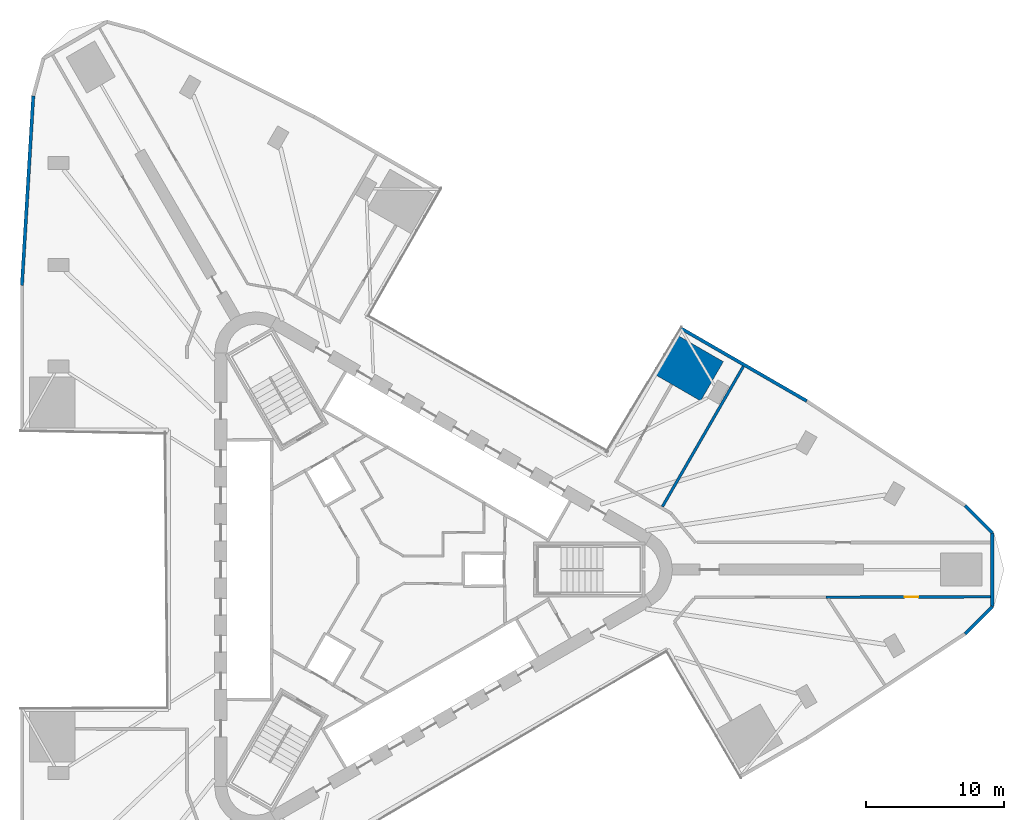
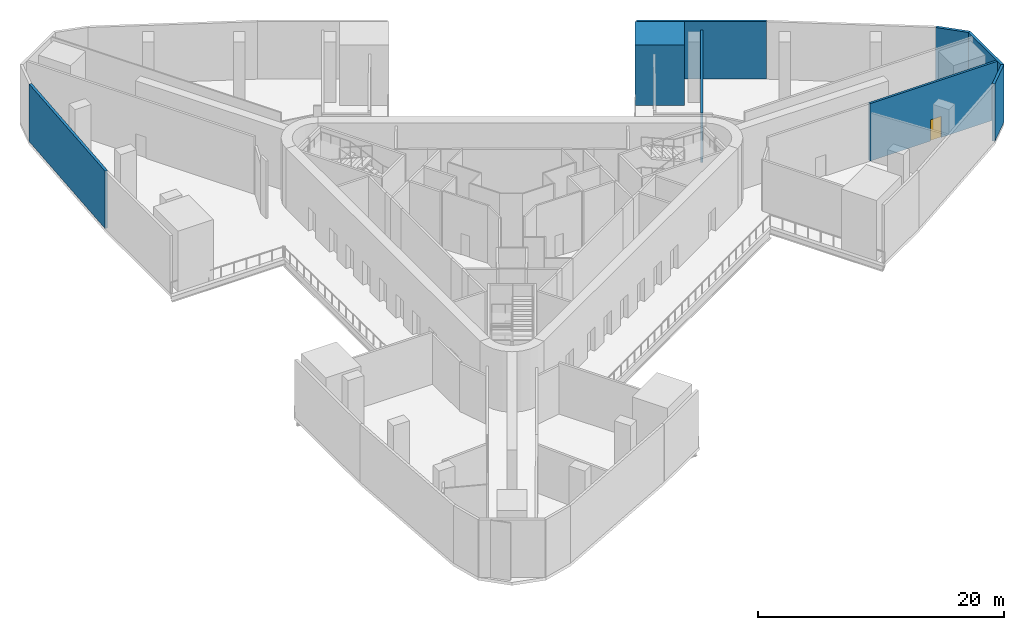
# One storey, part 7 of 11: 8 walls, 1 door, 1 opening.
"""IFC4 building model written with IfcOpenShell, lengths in metres."""

from ifc_helpers import new_model, si_unit, direction, frame, frame_2d, origin, place, context, subcontext, project, spatial, polyline, rectangle, outline, extrude, material, layer, layer_set, type_object, element, fill, save


model = new_model("IFC4")

# Units and contexts
model_context = context("Model", 3, precision=1e-05, world=origin(), true_north=direction((0.0, 1.0)))
body_context = subcontext(model_context, "Body", "Model", "MODEL_VIEW")
ifc_project = project(units=[si_unit("LENGTHUNIT", "METRE"), si_unit("AREAUNIT", "SQUARE_METRE"), si_unit("VOLUMEUNIT", "CUBIC_METRE"), si_unit("PLANEANGLEUNIT", "RADIAN"), si_unit("MASSUNIT", "GRAM", prefix="KILO")], contexts=[model_context])

# Site, building, storey
site_placement = place(None, origin())
site = spatial("IfcSite", under=ifc_project, at=site_placement, CompositionType="ELEMENT")
building_placement = place(site_placement, origin())
building = spatial("IfcBuilding", under=site, at=building_placement, Name="Tanit Gate Tower", CompositionType="ELEMENT")
storey_placement = place(building_placement, frame((0.0, 0.0, 21.5)))
storey = spatial("IfcBuildingStorey", under=building, at=storey_placement, Name="L03", CompositionType="ELEMENT", Elevation=21.5)

# Walls
ifc_material_1 = material(Name="Concrete C30/37 with bronze anodised aluminium cladding", Category="concrete")
ifc_layer_1 = layer(ifc_material_1, 0.239990234375)
ifc_layer_set_1 = layer_set([ifc_layer_1], Name="Facade wall bronze clad 240")
wall_type_1 = type_object("IfcWallType", Name="Facade wall bronze clad 240", PredefinedType="SOLIDWALL", material=ifc_layer_set_1)
wall_1_placement = place(storey_placement, frame((30.968994140625, 12.26904296875, 0.0), z_axis=(0.0, 0.0, 1.0), x_axis=(-0.86605207128, 0.499953807697, 0.0)))
element("IfcWall", 1, at=wall_1_placement, inside=storey, type_object=wall_type_1, Name="Bronze-clad facade wall L03 NE2a", PredefinedType="SOLIDWALL", context=body_context, shape_type="SweptSolid", body=[
    extrude(rectangle(XDim=10.56591796875, YDim=0.239990234375, at=frame_2d((5.282958984375, 0.0))), origin(), (0.0, 0.0, 1.0), 5.699951171875),
])
wall_2_placement = place(storey_placement, frame((-25.284423828125, 34.462158203125, 0.0), z_axis=(0.0, 0.0, 1.0), x_axis=(-0.059807686217, -0.998209918138, 0.0)))
element("IfcWall", 2, at=wall_2_placement, inside=storey, type_object=wall_type_1, Name="Bronze-clad facade wall L03 W1", PredefinedType="SOLIDWALL", context=body_context, shape_type="SweptSolid", body=[
    extrude(rectangle(XDim=13.801513671875, YDim=0.239990234375, at=frame_2d((6.90087890625, 0.0))), origin(), (0.0, 0.0, 1.0), 5.699951171875),
])
wall_3_placement = place(storey_placement, frame((42.4873046875, -4.665771484375, 0.0), z_axis=(0.0, 0.0, 1.0), x_axis=(0.707106781187, 0.707106781187, 0.0)))
element("IfcWall", 3, at=wall_3_placement, inside=storey, type_object=wall_type_1, Name="Bronze-clad facade wall L03 E.arc1", PredefinedType="SOLIDWALL", context=body_context, shape_type="SweptSolid", body=[
    extrude(rectangle(XDim=2.800537109375, YDim=0.239990234375, at=frame_2d((1.400390625, 0.0))), origin(), (0.0, 0.0, 1.0), 5.699951171875),
])
wall_4_placement = place(storey_placement, frame((44.467529296875, -2.685546875, 0.0), z_axis=(0.0, 0.0, 1.0), x_axis=(0.0, 1.0, 0.0)))
element("IfcWall", 4, at=wall_4_placement, inside=storey, type_object=wall_type_1, Name="Bronze-clad facade wall L03 E.arc2", PredefinedType="SOLIDWALL", context=body_context, shape_type="SweptSolid", body=[
    extrude(rectangle(XDim=5.37109375, YDim=0.239990234375, at=frame_2d((2.685546875, 0.0))), origin(), (0.0, 0.0, 1.0), 5.699951171875),
])
wall_5_placement = place(storey_placement, frame((44.467529296875, 2.685546875, 0.0), z_axis=(0.0, 0.0, 1.0), x_axis=(-0.707106781187, 0.707106781187, 0.0)))
element("IfcWall", 5, at=wall_5_placement, inside=storey, type_object=wall_type_1, Name="Bronze-clad facade wall L03 E.arc3", PredefinedType="SOLIDWALL", context=body_context, shape_type="SweptSolid", body=[
    extrude(rectangle(XDim=2.800537109375, YDim=0.239990234375, at=frame_2d((1.400390625, 0.0))), origin(), (0.0, 0.0, 1.0), 5.699951171875),
])
ifc_material_2 = material(Name="Fire-rated gypsum board partition")
ifc_layer_2 = layer(ifc_material_2, 0.199951171875)
ifc_layer_set_2 = layer_set([ifc_layer_2], Name="INT-WALL-COMPARTMENT")
wall_type_2 = type_object("IfcWallType", Name="INT-WALL-COMPARTMENT", PredefinedType="PARTITIONING", material=ifc_layer_set_2)
wall_6_placement = place(storey_placement, frame((26.357177734375, 14.787109375, 0.0), z_axis=(0.0, 0.0, 1.0), x_axis=(-0.499944829582, -0.866057254097, 0.0)))
element("IfcWall", 6, at=wall_6_placement, inside=storey, type_object=wall_type_2, Name="Wall Compartment W110", PredefinedType="PARTITIONING", context=body_context, shape_type="SweptSolid", body=[
    extrude(rectangle(XDim=11.784423828125, YDim=0.199951171875, at=frame_2d((5.89208984375, 0.0))), origin(), (0.0, 0.0, 1.0), 4.8798828125),
])

# Wall, opening, door
wall_7_placement = place(storey_placement, frame((44.347412109375, -1.971435546875, 0.0), z_axis=(0.0, 0.0, 1.0), x_axis=(-0.999997105116, -0.002406192056, 0.0)))
wall_7 = element("IfcWall", 7, at=wall_7_placement, inside=storey, type_object=wall_type_2, Name="Wall Compartment W119", PredefinedType="PARTITIONING", context=body_context, shape_type="SweptSolid", body=[
    extrude(rectangle(XDim=11.97265625, YDim=0.199951171875, at=frame_2d((5.986328125, 0.0))), origin(), (0.0, 0.0, 1.0), 5.699951171875),
])
opening_placement = place(wall_7_placement, frame((5.266845703125, 0.0, 0.0)))
opening = element("IfcOpeningElement", 8, at=opening_placement, cuts=wall_7, Name="Opening F10-03-24", PredefinedType="OPENING", context=body_context, shape_type="SweptSolid", body=[
    extrude(rectangle(XDim=1.0, YDim=2.10009765625, at=frame_2d((0.5, 1.050048828125))), frame((0.0, 0.10986328125, 0.0), z_axis=(0.0, -1.0, 0.0), x_axis=(1.0, 0.0, 0.0)), (0.0, 0.0, 1.0), 0.219970703125),
])
ifc_material_3 = material(Name="Fire-rated steel door leaf", Category="steel")
door_type = type_object("IfcDoorType", Name="INT-DOOR-FIRE-1000", OperationType="NOTDEFINED", PredefinedType="USERDEFINED", material=ifc_material_3)
door_placement = place(opening_placement, origin())
door = element("IfcDoor", 9, at=door_placement, inside=storey, type_object=door_type, Name="Door F10-03-24", ObjectType="FIRE DOOR", OperationType="SINGLE_SWING_RIGHT", OverallHeight=2.10009765625, OverallWidth=1.0, PredefinedType="USERDEFINED", context=body_context, shape_type="SweptSolid", body=[
    extrude(rectangle(XDim=1.0, YDim=2.10009765625, at=frame_2d((0.5, 1.050048828125))), frame((0.0, 0.02490234375, 0.0), z_axis=(0.0, -1.0, 0.0), x_axis=(1.0, 0.0, 0.0)), (0.0, 0.0, 1.0), 0.050048828125),
])
fill(opening, door)

# Wall
ifc_material_4 = material(Name="Concrete C60/75", Category="concrete")
ifc_layer_3 = layer(ifc_material_4, 4.0)
ifc_layer_set_3 = layer_set([ifc_layer_3], Name="PIER WALL 4000 C60/75")
wall_type_3 = type_object("IfcWallType", Name="PIER WALL 4000 C60/75", PredefinedType="SHEAR", material=ifc_layer_set_3)
wall_8_placement = place(storey_placement, origin())
element("IfcWall", 10, at=wall_8_placement, inside=storey, type_object=wall_type_3, Name="PIER WALL", PredefinedType="SHEAR", context=body_context, shape_type="SweptSolid", body=[
    extrude(outline(polyline([(24.901123046875, 15.1298828125), (21.43701171875, 17.1298828125), (19.787109375, 14.27197265625), (23.251220703125, 12.27197265625), (24.901123046875, 15.1298828125)])), origin(), (0.0, 0.0, 1.0), 6.0),
])

save(model, "model.ifc")
